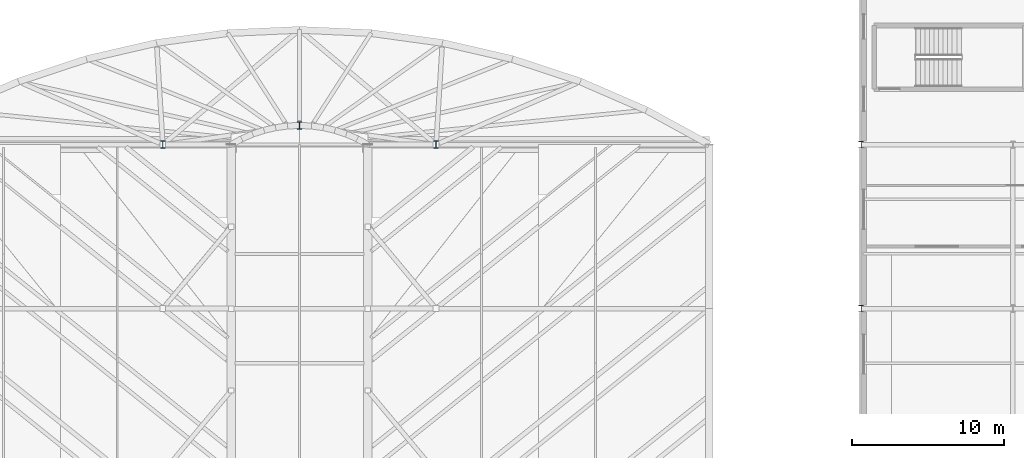
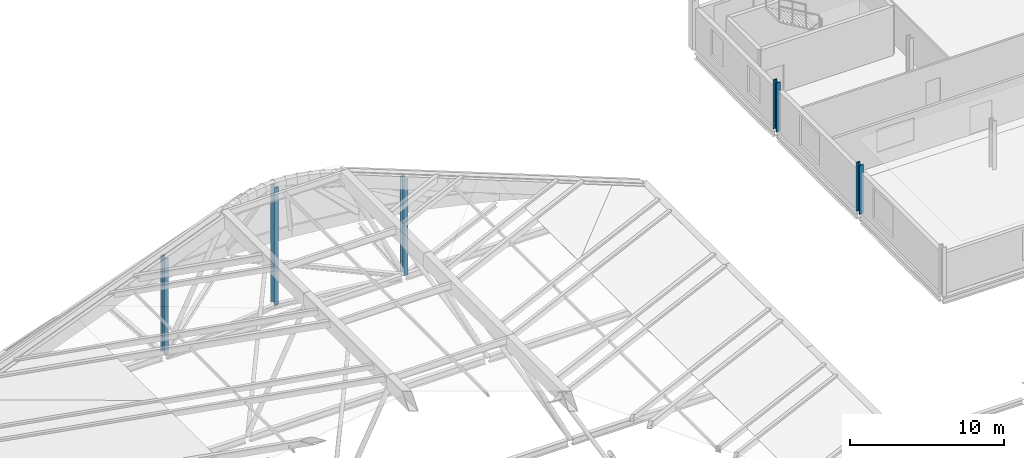
# One storey, part 4 of 110: 5 columns.
"""IFC4 building model written with IfcOpenShell, lengths in metres."""

from ifc_helpers import new_model, si_unit, direction, frame, origin, origin_2d, place, context, subcontext, project, spatial, i_section, extrude, material, material_profile, profile_set, type_object, element, save


model = new_model("IFC4")

# Units and contexts
model_context = context("Model", 3, precision=1e-05, world=origin(), true_north=direction((0.0, 1.0)))
body_context = subcontext(model_context, "Body", "Model", "MODEL_VIEW")
ifc_project = project(units=[si_unit("LENGTHUNIT", "METRE"), si_unit("AREAUNIT", "SQUARE_METRE"), si_unit("VOLUMEUNIT", "CUBIC_METRE"), si_unit("PLANEANGLEUNIT", "RADIAN"), si_unit("MASSUNIT", "GRAM", prefix="KILO")], contexts=[model_context])

# Site, building, storey
site_placement = place(None, origin())
site = spatial("IfcSite", under=ifc_project, at=site_placement, CompositionType="ELEMENT")
building_placement = place(site_placement, origin())
building = spatial("IfcBuilding", under=site, at=building_placement, Name="Tamarisk Ironworks Central Station", CompositionType="ELEMENT")
storey_placement = place(building_placement, frame((0.0, 0.0, 17.39990234375)))
storey = spatial("IfcBuildingStorey", under=building, at=storey_placement, Name="L03", CompositionType="ELEMENT", Elevation=17.39990234375)

# Columns
ifc_material = material(Name="Structural steel S355J2", Category="steel")
ifc_material_profile_1 = material_profile(ifc_material, i_section(OverallWidth=0.300048828125, OverallDepth=0.5, WebThickness=0.014404296875, FlangeThickness=0.028076171875, at=origin_2d()), Name="HEB 500")
ifc_profile_set_1 = profile_set([ifc_material_profile_1], Name="Structural steel S355J2")
column_type_1 = type_object("IfcColumnType", Name="COL-S07", PredefinedType="COLUMN", material=ifc_profile_set_1)
for number, where, z_axis, x_axis, name in (
    (1, (72.0, 111.60009765625, -1.599853515625), (0.0, 0.0, 1.0), (1.0, 0.0, 0.0), "L03 column V2-09L"),
    (2, (90.0, 111.60009765625, -1.599853515625), (0.0, 0.0, 1.0), (1.0, 0.0, 0.0), "L03 column V2-12L"),
):
    element("IfcColumn", number, at=place(storey_placement, frame(where, z_axis=z_axis, x_axis=x_axis)), inside=storey, type_object=column_type_1, Name=name, PredefinedType="COLUMN", context=body_context, shape_type="SweptSolid", body=[
        extrude(i_section(OverallWidth=0.300048828125, OverallDepth=0.5, WebThickness=0.014404296875, FlangeThickness=0.028076171875, at=origin_2d()), origin(), (0.0, 0.0, 1.0), 7.64990234375),
    ])
column_placement = place(storey_placement, frame((81.0, 112.860107421875, -1.599853515625), z_axis=(0.0, 0.0, 1.0), x_axis=(1.0, 0.0, 0.0)))
element("IfcColumn", 3, at=column_placement, inside=storey, type_object=column_type_1, Name="L03 column V2-NAC", PredefinedType="COLUMN", context=body_context, shape_type="SweptSolid", body=[
    extrude(i_section(OverallWidth=0.300048828125, OverallDepth=0.5, WebThickness=0.014404296875, FlangeThickness=0.028076171875, at=origin_2d()), origin(), (0.0, 0.0, 1.0), 9.3798828125),
])
ifc_material_profile_2 = material_profile(ifc_material, i_section(OverallWidth=0.300048828125, OverallDepth=0.449951171875, WebThickness=0.013916015625, FlangeThickness=0.02587890625, at=origin_2d()), Name="HEB 450")
ifc_profile_set_2 = profile_set([ifc_material_profile_2], Name="Structural steel S355J2")
column_type_2 = type_object("IfcColumnType", Name="COL-S08", PredefinedType="COLUMN", material=ifc_profile_set_2)
for number, where, z_axis, x_axis, name in (
    (4, (118.0, 100.800048828125, 0.0), (0.0, 0.0, 1.0), (1.0, 0.0, 0.0), "L03 column V5-15J"),
    (5, (118.0, 111.60009765625, 0.0), (0.0, 0.0, 1.0), (1.0, 0.0, 0.0), "L03 column V5-15L"),
):
    element("IfcColumn", number, at=place(storey_placement, frame(where, z_axis=z_axis, x_axis=x_axis)), inside=storey, type_object=column_type_2, Name=name, PredefinedType="COLUMN", context=body_context, shape_type="SweptSolid", body=[
        extrude(i_section(OverallWidth=0.300048828125, OverallDepth=0.449951171875, WebThickness=0.013916015625, FlangeThickness=0.02587890625, at=origin_2d()), origin(), (0.0, 0.0, 1.0), 3.900146484375),
    ])

save(model, "model.ifc")
